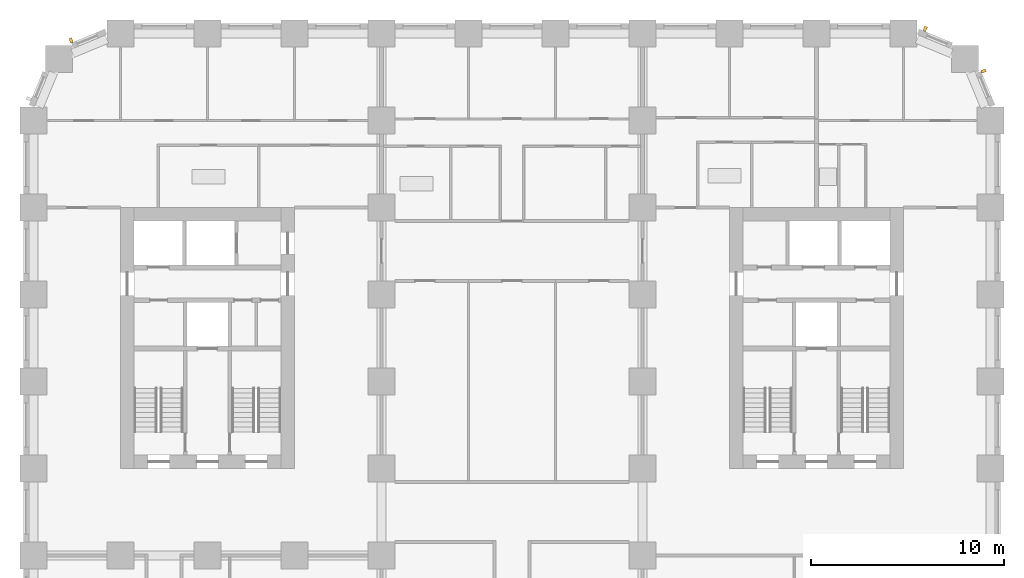
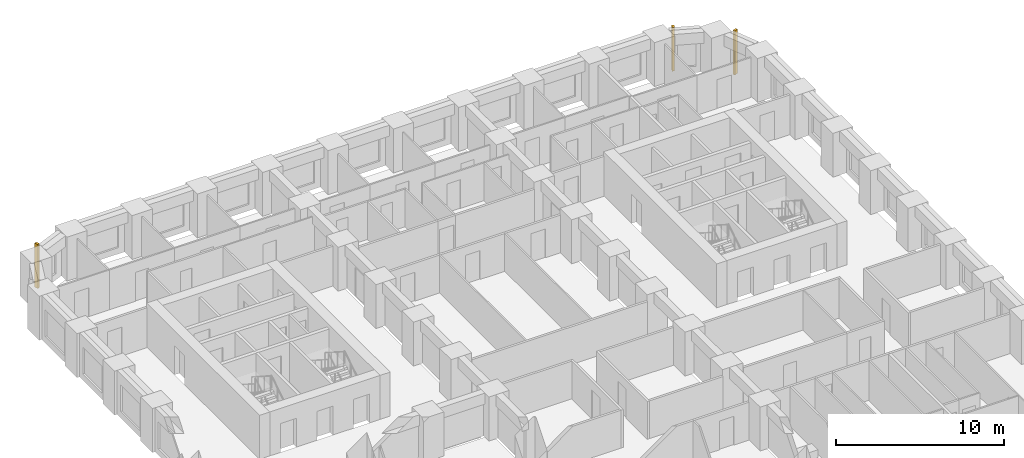
# One storey, part 12 of 13: 3 shading devices.
"""IFC4 building model written with IfcOpenShell, lengths in metres."""

from ifc_helpers import new_model, si_unit, direction, frame, origin, origin_2d, place, context, subcontext, project, spatial, rectangle, extrude, material, type_object, element, save


model = new_model("IFC4")

# Units and contexts
model_context = context("Model", 3, precision=1e-05, world=origin(), true_north=direction((0.0, 1.0)))
body_context = subcontext(model_context, "Body", "Model", "MODEL_VIEW")
ifc_project = project(units=[si_unit("LENGTHUNIT", "METRE"), si_unit("AREAUNIT", "SQUARE_METRE"), si_unit("VOLUMEUNIT", "CUBIC_METRE"), si_unit("PLANEANGLEUNIT", "RADIAN"), si_unit("MASSUNIT", "GRAM", prefix="KILO")], contexts=[model_context])

# Site, building, storey
site_placement = place(None, origin())
site = spatial("IfcSite", under=ifc_project, at=site_placement, CompositionType="ELEMENT")
building_placement = place(site_placement, origin())
building = spatial("IfcBuilding", under=site, at=building_placement, Name="Girih Gate Residences", CompositionType="ELEMENT")
storey_placement = place(building_placement, frame((0.0, 0.0, 49.60009765625)))
storey = spatial("IfcBuildingStorey", under=building, at=storey_placement, Name="L12", CompositionType="ELEMENT", Elevation=49.60009765625)

# Shading devices
ifc_material = material(Name="Precast concrete C50/60", Category="concrete")
shading_device_type = type_object("IfcShadingDeviceType", Name="Corner rib 150x250", PredefinedType="USERDEFINED", material=ifc_material)
for number, where, z_axis, x_axis, name in (
    (1, (49.14501953125, 47.5556640625, 0.0), (0.0, 0.0, 1.0), (-0.382683432365, 0.923879532511, 0.0), "Corner rib NE0495_0450.0"),
    (2, (46.123779296875, 49.738037109375, 0.0), (0.0, 0.0, 1.0), (-0.923879532511, 0.382683432365, 0.0), "Corner rib NE0482_0482.0"),
    (3, (1.9443359375, 49.14501953125, 0.0), (0.0, 0.0, 1.0), (-0.923879532511, -0.382683432365, 0.0), "Corner rib NW0045_0495.0"),
):
    element("IfcShadingDevice", number, at=place(storey_placement, frame(where, z_axis=z_axis, x_axis=x_axis)), inside=storey, type_object=shading_device_type, Name=name, ObjectType="FIN", PredefinedType="USERDEFINED", context=body_context, shape_type="SweptSolid", body=[
        extrude(rectangle(XDim=0.14990234375, YDim=0.25, at=origin_2d()), origin(), (0.0, 0.0, 1.0), 3.199951171875),
    ])

save(model, "model.ifc")
